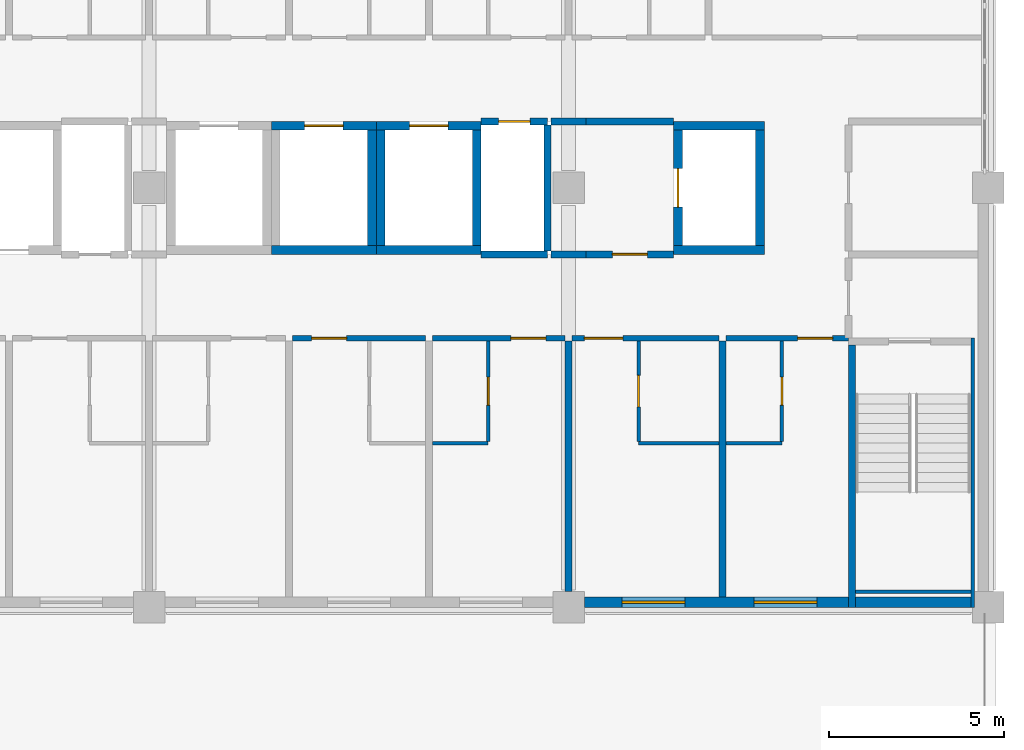
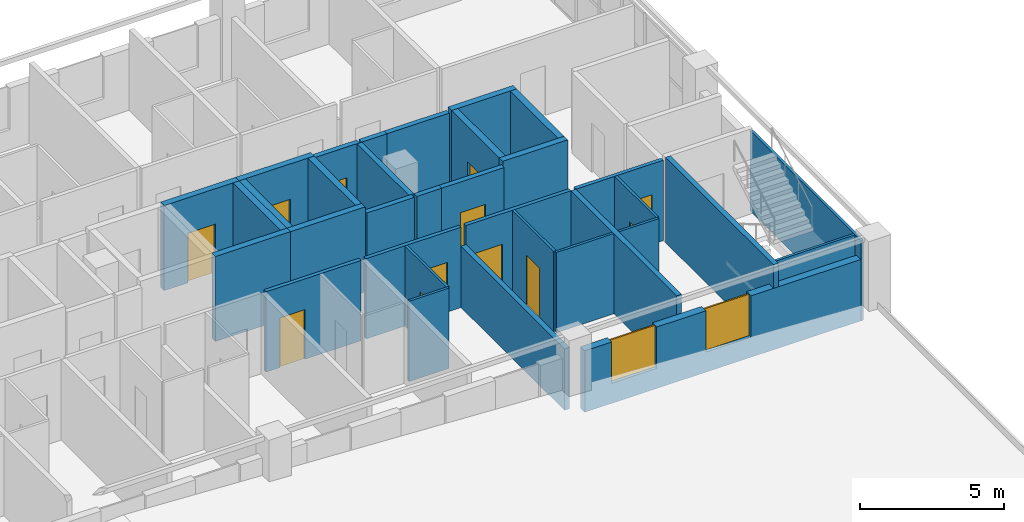
# One storey, part 90 of 94: 34 walls, 12 doors, 2 windows, 14 openings.
"""IFC4 building model written with IfcOpenShell, lengths in metres."""

from ifc_helpers import new_model, si_unit, direction, frame, frame_2d, origin, place, context, subcontext, project, spatial, rectangle, extrude, material, layer, layer_set, type_object, element, fill, save


model = new_model("IFC4")

# Units and contexts
model_context = context("Model", 3, precision=1e-05, world=origin(), true_north=direction((0.0, 1.0)))
body_context = subcontext(model_context, "Body", "Model", "MODEL_VIEW")
ifc_project = project(units=[si_unit("LENGTHUNIT", "METRE"), si_unit("AREAUNIT", "SQUARE_METRE"), si_unit("VOLUMEUNIT", "CUBIC_METRE"), si_unit("PLANEANGLEUNIT", "RADIAN"), si_unit("MASSUNIT", "GRAM", prefix="KILO")], contexts=[model_context])

# Site, building, storey
site_placement = place(None, origin())
site = spatial("IfcSite", under=ifc_project, at=site_placement, CompositionType="ELEMENT")
building_placement = place(site_placement, origin())
building = spatial("IfcBuilding", under=site, at=building_placement, Name="Lilac Gate Convention Centre", CompositionType="ELEMENT")
storey_placement = place(building_placement, frame((0.0, 0.0, 21.0)))
storey = spatial("IfcBuildingStorey", under=building, at=storey_placement, Name="L04", CompositionType="ELEMENT", Elevation=21.0)

# Walls
ifc_material_1 = material(Name="Concrete C60", Category="concrete")
ifc_layer_1 = layer(ifc_material_1, 0.10009765625)
ifc_layer_set_1 = layer_set([ifc_layer_1], Name="Concrete C60")
wall_type_1 = type_object("IfcWallType", Name="Core wall 100 C60", PredefinedType="SHEAR", material=ifc_layer_set_1)
wall_1_placement = place(storey_placement, frame((89.550048828125, 229.699951171875, 0.0), z_axis=(0.0, 0.0, 1.0), x_axis=(0.0, -1.0, 0.0)))
element("IfcWall", 1, at=wall_1_placement, inside=storey, type_object=wall_type_1, Name="CRW8 core wall TS-EX L04 1", PredefinedType="SHEAR", context=body_context, shape_type="SweptSolid", body=[
    extrude(rectangle(XDim=7.699951171875, YDim=0.10009765625, at=frame_2d((3.85009765625, 0.0))), origin(), (0.0, 0.0, 1.0), 3.39990234375),
])
wall_2_placement = place(storey_placement, frame((89.5, 222.449951171875, 0.0), z_axis=(0.0, 0.0, 1.0), x_axis=(-1.0, 0.0, 0.0)))
element("IfcWall", 2, at=wall_2_placement, inside=storey, type_object=wall_type_1, Name="CRW8 core wall TS-EX L04 2", PredefinedType="SHEAR", context=body_context, shape_type="SweptSolid", body=[
    extrude(rectangle(XDim=3.300048828125, YDim=0.10009765625, at=frame_2d((1.64990234375, 0.0))), origin(), (0.0, 0.0, 1.0), 3.39990234375),
])
ifc_layer_2 = layer(ifc_material_1, 0.199951171875)
ifc_layer_set_2 = layer_set([ifc_layer_2], Name="Concrete C60")
wall_type_2 = type_object("IfcWallType", Name="Core wall 200 C60", PredefinedType="SHEAR", material=ifc_layer_set_2)
wall_3_placement = place(storey_placement, frame((86.10009765625, 222.0, 0.0), z_axis=(0.0, 0.0, 1.0), x_axis=(0.0, 1.0, 0.0)))
element("IfcWall", 3, at=wall_3_placement, inside=storey, type_object=wall_type_2, Name="CRW2 core wall TS-E L04 2", PredefinedType="SHEAR", context=body_context, shape_type="SweptSolid", body=[
    extrude(rectangle(XDim=7.5, YDim=0.199951171875, at=frame_2d((3.75, 0.0))), origin(), (0.0, 0.0, 1.0), 3.60009765625),
])
ifc_layer_3 = layer(ifc_material_1, 0.25)
ifc_layer_set_3 = layer_set([ifc_layer_3], Name="Concrete C60")
wall_type_3 = type_object("IfcWallType", Name="Core wall 250 C60", PredefinedType="SHEAR", material=ifc_layer_set_3)
wall_4_placement = place(storey_placement, frame((69.5, 232.22509765625, 0.0), z_axis=(0.0, 0.0, 1.0), x_axis=(1.0, 0.0, 0.0)))
element("IfcWall", 4, at=wall_4_placement, inside=storey, type_object=wall_type_3, Name="CRW3 core wall TC L04 17", PredefinedType="SHEAR", context=body_context, shape_type="SweptSolid", body=[
    extrude(rectangle(XDim=3.0, YDim=0.25, at=frame_2d((1.5, 0.0))), origin(), (0.0, 0.0, 1.0), 3.60009765625),
])

# Wall, opening, door
wall_5_placement = place(storey_placement, frame((69.5, 235.77490234375, 0.0), z_axis=(0.0, 0.0, 1.0), x_axis=(1.0, 0.0, 0.0)))
wall_5 = element("IfcWall", 5, at=wall_5_placement, inside=storey, type_object=wall_type_3, Name="CRW3 core wall TC L04 18", PredefinedType="SHEAR", context=body_context, shape_type="SweptSolid", body=[
    extrude(rectangle(XDim=3.0, YDim=0.25, at=frame_2d((1.5, 0.0))), origin(), (0.0, 0.0, 1.0), 3.60009765625),
])
opening_1_placement = place(wall_5_placement, frame((0.949951171875, 0.0, 0.0)))
opening_1 = element("IfcOpeningElement", 6, at=opening_1_placement, cuts=wall_5, Name="Opening T04-050", PredefinedType="OPENING", context=body_context, shape_type="SweptSolid", body=[
    extrude(rectangle(XDim=1.10009765625, YDim=2.10009765625, at=frame_2d((0.550048828125, 1.050048828125))), frame((0.0, 0.135009765625, 0.0), z_axis=(0.0, -1.0, 0.0), x_axis=(1.0, 0.0, 0.0)), (0.0, 0.0, 1.0), 0.27001953125),
])
ifc_material_2 = material(Name="Stainless steel 304", Category="steel")
door_type_1 = type_object("IfcDoorType", Name="Lift landing door 1100", OperationType="SLIDING_TO_LEFT", PredefinedType="DOOR", material=ifc_material_2)
door_1_placement = place(opening_1_placement, origin())
door_1 = element("IfcDoor", 7, at=door_1_placement, inside=storey, type_object=door_type_1, Name="Lift landing door TP5 L04", OperationType="SLIDING_TO_LEFT", OverallHeight=2.10009765625, OverallWidth=1.10009765625, PredefinedType="DOOR", context=body_context, shape_type="SweptSolid", body=[
    extrude(rectangle(XDim=1.10009765625, YDim=2.10009765625, at=frame_2d((0.550048828125, 1.050048828125))), frame((0.0, 0.02490234375, 0.0), z_axis=(0.0, -1.0, 0.0), x_axis=(1.0, 0.0, 0.0)), (0.0, 0.0, 1.0), 0.050048828125),
])
fill(opening_1, door_1)

# Walls
wall_6_placement = place(storey_placement, frame((72.375, 232.35009765625, 0.0), z_axis=(0.0, 0.0, 1.0), x_axis=(0.0, 1.0, 0.0)))
element("IfcWall", 8, at=wall_6_placement, inside=storey, type_object=wall_type_3, Name="CRW3 core wall TC L04 20", PredefinedType="SHEAR", context=body_context, shape_type="SweptSolid", body=[
    extrude(rectangle(XDim=3.2998046875, YDim=0.25, at=frame_2d((1.64990234375, 0.0))), origin(), (0.0, 0.0, 1.0), 3.60009765625),
])
wall_7_placement = place(storey_placement, frame((72.5, 232.22509765625, 0.0), z_axis=(0.0, 0.0, 1.0), x_axis=(1.0, 0.0, 0.0)))
element("IfcWall", 9, at=wall_7_placement, inside=storey, type_object=wall_type_3, Name="CRW3 core wall TC L04 21", PredefinedType="SHEAR", context=body_context, shape_type="SweptSolid", body=[
    extrude(rectangle(XDim=3.0, YDim=0.25, at=frame_2d((1.5, 0.0))), origin(), (0.0, 0.0, 1.0), 3.60009765625),
])

# Wall, opening, door
wall_8_placement = place(storey_placement, frame((72.5, 235.77490234375, 0.0), z_axis=(0.0, 0.0, 1.0), x_axis=(1.0, 0.0, 0.0)))
wall_8 = element("IfcWall", 10, at=wall_8_placement, inside=storey, type_object=wall_type_3, Name="CRW3 core wall TC L04 22", PredefinedType="SHEAR", context=body_context, shape_type="SweptSolid", body=[
    extrude(rectangle(XDim=3.0, YDim=0.25, at=frame_2d((1.5, 0.0))), origin(), (0.0, 0.0, 1.0), 3.60009765625),
])
opening_2_placement = place(wall_8_placement, frame((0.949951171875, 0.0, 0.0)))
opening_2 = element("IfcOpeningElement", 11, at=opening_2_placement, cuts=wall_8, Name="Opening T04-051", PredefinedType="OPENING", context=body_context, shape_type="SweptSolid", body=[
    extrude(rectangle(XDim=1.10009765625, YDim=2.10009765625, at=frame_2d((0.550048828125, 1.050048828125))), frame((0.0, 0.135009765625, 0.0), z_axis=(0.0, -1.0, 0.0), x_axis=(1.0, 0.0, 0.0)), (0.0, 0.0, 1.0), 0.27001953125),
])
door_2_placement = place(opening_2_placement, origin())
door_2 = element("IfcDoor", 12, at=door_2_placement, inside=storey, type_object=door_type_1, Name="Lift landing door TP6 L04", OperationType="SLIDING_TO_LEFT", OverallHeight=2.10009765625, OverallWidth=1.10009765625, PredefinedType="DOOR", context=body_context, shape_type="SweptSolid", body=[
    extrude(rectangle(XDim=1.10009765625, YDim=2.10009765625, at=frame_2d((0.550048828125, 1.050048828125))), frame((0.0, 0.02490234375, 0.0), z_axis=(0.0, -1.0, 0.0), x_axis=(1.0, 0.0, 0.0)), (0.0, 0.0, 1.0), 0.050048828125),
])
fill(opening_2, door_2)

# Walls
for number, where, z_axis, x_axis, name in (
    (13, (72.625, 232.35009765625, 0.0), (0.0, 0.0, 1.0), (0.0, 1.0, 0.0), "CRW3 core wall TC L04 23"),
    (14, (75.375, 232.35009765625, 0.0), (0.0, 0.0, 1.0), (0.0, 1.0, 0.0), "CRW3 core wall TC L04 24"),
):
    element("IfcWall", number, at=place(storey_placement, frame(where, z_axis=z_axis, x_axis=x_axis)), inside=storey, type_object=wall_type_3, Name=name, PredefinedType="SHEAR", context=body_context, shape_type="SweptSolid", body=[
        extrude(rectangle(XDim=3.2998046875, YDim=0.25, at=frame_2d((1.64990234375, 0.0))), origin(), (0.0, 0.0, 1.0), 3.60009765625),
    ])
for number, where, z_axis, x_axis, name in (
    (15, (81.0, 232.22509765625, 0.0), (0.0, 0.0, 1.0), (1.0, 0.0, 0.0), "CRW3 core wall TC L04 33"),
    (16, (81.0, 235.77490234375, 0.0), (0.0, 0.0, 1.0), (1.0, 0.0, 0.0), "CRW3 core wall TC L04 34"),
):
    element("IfcWall", number, at=place(storey_placement, frame(where, z_axis=z_axis, x_axis=x_axis)), inside=storey, type_object=wall_type_3, Name=name, PredefinedType="SHEAR", context=body_context, shape_type="SweptSolid", body=[
        extrude(rectangle(XDim=2.60009765625, YDim=0.25, at=frame_2d((1.300048828125, 0.0))), origin(), (0.0, 0.0, 1.0), 3.60009765625),
    ])

# Wall, opening, door
wall_9_placement = place(storey_placement, frame((81.125, 232.35009765625, 0.0), z_axis=(0.0, 0.0, 1.0), x_axis=(0.0, 1.0, 0.0)))
wall_9 = element("IfcWall", 17, at=wall_9_placement, inside=storey, type_object=wall_type_3, Name="CRW3 core wall TC L04 35", PredefinedType="SHEAR", context=body_context, shape_type="SweptSolid", body=[
    extrude(rectangle(XDim=3.2998046875, YDim=0.25, at=frame_2d((1.64990234375, 0.0))), origin(), (0.0, 0.0, 1.0), 3.60009765625),
])
opening_3_placement = place(wall_9_placement, frame((1.10009765625, 0.0, 0.0)))
opening_3 = element("IfcOpeningElement", 18, at=opening_3_placement, cuts=wall_9, Name="Opening T04-054", PredefinedType="OPENING", context=body_context, shape_type="SweptSolid", body=[
    extrude(rectangle(XDim=1.10009765625, YDim=2.10009765625, at=frame_2d((0.550048828125, 1.050048828125))), frame((0.0, 0.135009765625, 0.0), z_axis=(0.0, -1.0, 0.0), x_axis=(1.0, 0.0, 0.0)), (0.0, 0.0, 1.0), 0.27001953125),
])
door_3_placement = place(opening_3_placement, origin())
door_3 = element("IfcDoor", 19, at=door_3_placement, inside=storey, type_object=door_type_1, Name="Lift landing door TF1 L04", OperationType="SLIDING_TO_LEFT", OverallHeight=2.10009765625, OverallWidth=1.10009765625, PredefinedType="DOOR", context=body_context, shape_type="SweptSolid", body=[
    extrude(rectangle(XDim=1.10009765625, YDim=2.10009765625, at=frame_2d((0.550048828125, 1.050048828125))), frame((0.0, 0.02490234375, 0.0), z_axis=(0.0, -1.0, 0.0), x_axis=(1.0, 0.0, 0.0)), (0.0, 0.0, 1.0), 0.050048828125),
])
fill(opening_3, door_3)

# Wall
wall_10_placement = place(storey_placement, frame((83.47509765625, 232.35009765625, 0.0), z_axis=(0.0, 0.0, 1.0), x_axis=(0.0, 1.0, 0.0)))
element("IfcWall", 20, at=wall_10_placement, inside=storey, type_object=wall_type_3, Name="CRW3 core wall TC L04 36", PredefinedType="SHEAR", context=body_context, shape_type="SweptSolid", body=[
    extrude(rectangle(XDim=3.2998046875, YDim=0.25, at=frame_2d((1.64990234375, 0.0))), origin(), (0.0, 0.0, 1.0), 3.60009765625),
])

# Wall, opening, door
ifc_material_3 = material(Name="Gypsum board on steel stud", Category="steel")
ifc_layer_4 = layer(ifc_material_3, 0.14990234375)
ifc_layer_set_4 = layer_set([ifc_layer_4], Name="Gypsum board on steel stud")
wall_type_4 = type_object("IfcWallType", Name="Corridor wall 150", PredefinedType="PARTITIONING", material=ifc_layer_set_4)
wall_11_placement = place(storey_placement, frame((73.89990234375, 229.699951171875, 0.0), z_axis=(0.0, 0.0, 1.0), x_axis=(-1.0, 0.0, 0.0)))
wall_11 = element("IfcWall", 21, at=wall_11_placement, inside=storey, type_object=wall_type_4, Name="Corridor wall 150 front 0407", PredefinedType="PARTITIONING", context=body_context, shape_type="SweptSolid", body=[
    extrude(rectangle(XDim=3.7998046875, YDim=0.14990234375, at=frame_2d((1.89990234375, 0.0))), origin(), (0.0, 0.0, 1.0), 3.39990234375),
])
opening_4_placement = place(wall_11_placement, frame((2.25, 0.0, 0.0)))
opening_4 = element("IfcOpeningElement", 22, at=opening_4_placement, cuts=wall_11, Name="Opening T04-019", PredefinedType="OPENING", context=body_context, shape_type="SweptSolid", body=[
    extrude(rectangle(XDim=1.0, YDim=2.10009765625, at=frame_2d((0.5, 1.050048828125))), frame((0.0, 0.0849609375, 0.0), z_axis=(0.0, -1.0, 0.0), x_axis=(1.0, 0.0, 0.0)), (0.0, 0.0, 1.0), 0.169921875),
])
ifc_material_4 = material(Name="Timber", Category="wood")
door_type_2 = type_object("IfcDoorType", Name="Guest room entrance door 1000", OperationType="SINGLE_SWING_LEFT", PredefinedType="DOOR", material=ifc_material_4)
door_4_placement = place(opening_4_placement, origin())
door_4 = element("IfcDoor", 23, at=door_4_placement, inside=storey, type_object=door_type_2, Name="Guest room door 0407", OperationType="SINGLE_SWING_LEFT", OverallHeight=2.10009765625, OverallWidth=1.0, PredefinedType="DOOR", context=body_context, shape_type="SweptSolid", body=[
    extrude(rectangle(XDim=1.0, YDim=2.10009765625, at=frame_2d((0.5, 1.050048828125))), frame((0.0, 0.02490234375, 0.0), z_axis=(0.0, -1.0, 0.0), x_axis=(1.0, 0.0, 0.0)), (0.0, 0.0, 1.0), 0.050048828125),
])
fill(opening_4, door_4)

wall_12_placement = place(storey_placement, frame((77.89990234375, 229.699951171875, 0.0), z_axis=(0.0, 0.0, 1.0), x_axis=(-1.0, 0.0, 0.0)))
wall_12 = element("IfcWall", 24, at=wall_12_placement, inside=storey, type_object=wall_type_4, Name="Corridor wall 150 front 0408", PredefinedType="PARTITIONING", context=body_context, shape_type="SweptSolid", body=[
    extrude(rectangle(XDim=3.7998046875, YDim=0.14990234375, at=frame_2d((1.89990234375, 0.0))), origin(), (0.0, 0.0, 1.0), 3.39990234375),
])
opening_5_placement = place(wall_12_placement, frame((0.550048828125, 0.0, 0.0)))
opening_5 = element("IfcOpeningElement", 25, at=opening_5_placement, cuts=wall_12, Name="Opening T04-021", PredefinedType="OPENING", context=body_context, shape_type="SweptSolid", body=[
    extrude(rectangle(XDim=1.0, YDim=2.10009765625, at=frame_2d((0.5, 1.050048828125))), frame((0.0, 0.0849609375, 0.0), z_axis=(0.0, -1.0, 0.0), x_axis=(1.0, 0.0, 0.0)), (0.0, 0.0, 1.0), 0.169921875),
])
door_5_placement = place(opening_5_placement, origin())
door_5 = element("IfcDoor", 26, at=door_5_placement, inside=storey, type_object=door_type_2, Name="Guest room door 0408", OperationType="SINGLE_SWING_LEFT", OverallHeight=2.10009765625, OverallWidth=1.0, PredefinedType="DOOR", context=body_context, shape_type="SweptSolid", body=[
    extrude(rectangle(XDim=1.0, YDim=2.10009765625, at=frame_2d((0.5, 1.050048828125))), frame((0.0, 0.02490234375, 0.0), z_axis=(0.0, -1.0, 0.0), x_axis=(1.0, 0.0, 0.0)), (0.0, 0.0, 1.0), 0.050048828125),
])
fill(opening_5, door_5)

wall_13_placement = place(storey_placement, frame((82.300048828125, 229.699951171875, 0.0), z_axis=(0.0, 0.0, 1.0), x_axis=(-1.0, 0.0, 0.0)))
wall_13 = element("IfcWall", 27, at=wall_13_placement, inside=storey, type_object=wall_type_4, Name="Corridor wall 150 front 0409", PredefinedType="PARTITIONING", context=body_context, shape_type="SweptSolid", body=[
    extrude(rectangle(XDim=4.199951171875, YDim=0.14990234375, at=frame_2d((2.10009765625, 0.0))), origin(), (0.0, 0.0, 1.0), 3.39990234375),
])
opening_6_placement = place(wall_13_placement, frame((2.75, 0.0, 0.0)))
opening_6 = element("IfcOpeningElement", 28, at=opening_6_placement, cuts=wall_13, Name="Opening T04-023", PredefinedType="OPENING", context=body_context, shape_type="SweptSolid", body=[
    extrude(rectangle(XDim=1.10009765625, YDim=2.10009765625, at=frame_2d((0.550048828125, 1.050048828125))), frame((0.0, 0.0849609375, 0.0), z_axis=(0.0, -1.0, 0.0), x_axis=(1.0, 0.0, 0.0)), (0.0, 0.0, 1.0), 0.169921875),
])
door_type_3 = type_object("IfcDoorType", Name="Accessible entrance door 1100", OperationType="SINGLE_SWING_LEFT", PredefinedType="DOOR", material=ifc_material_4)
door_6_placement = place(opening_6_placement, origin())
door_6 = element("IfcDoor", 29, at=door_6_placement, inside=storey, type_object=door_type_3, Name="Guest room door 0409", OperationType="SINGLE_SWING_RIGHT", OverallHeight=2.10009765625, OverallWidth=1.10009765625, PredefinedType="DOOR", context=body_context, shape_type="SweptSolid", body=[
    extrude(rectangle(XDim=1.10009765625, YDim=2.10009765625, at=frame_2d((0.550048828125, 1.050048828125))), frame((0.0, 0.02490234375, 0.0), z_axis=(0.0, -1.0, 0.0), x_axis=(1.0, 0.0, 0.0)), (0.0, 0.0, 1.0), 0.050048828125),
])
fill(opening_6, door_6)

wall_14_placement = place(storey_placement, frame((86.0, 229.699951171875, 0.0), z_axis=(0.0, 0.0, 1.0), x_axis=(-1.0, 0.0, 0.0)))
wall_14 = element("IfcWall", 30, at=wall_14_placement, inside=storey, type_object=wall_type_4, Name="Corridor wall 150 front 0410", PredefinedType="PARTITIONING", context=body_context, shape_type="SweptSolid", body=[
    extrude(rectangle(XDim=3.5, YDim=0.14990234375, at=frame_2d((1.75, 0.0))), origin(), (0.0, 0.0, 1.0), 3.39990234375),
])
opening_7_placement = place(wall_14_placement, frame((0.449951171875, 0.0, 0.0)))
opening_7 = element("IfcOpeningElement", 31, at=opening_7_placement, cuts=wall_14, Name="Opening T04-025", PredefinedType="OPENING", context=body_context, shape_type="SweptSolid", body=[
    extrude(rectangle(XDim=1.0, YDim=2.10009765625, at=frame_2d((0.5, 1.050048828125))), frame((0.0, 0.0849609375, 0.0), z_axis=(0.0, -1.0, 0.0), x_axis=(1.0, 0.0, 0.0)), (0.0, 0.0, 1.0), 0.169921875),
])
door_7_placement = place(opening_7_placement, origin())
door_7 = element("IfcDoor", 32, at=door_7_placement, inside=storey, type_object=door_type_2, Name="Guest room door 0410", OperationType="SINGLE_SWING_LEFT", OverallHeight=2.10009765625, OverallWidth=1.0, PredefinedType="DOOR", context=body_context, shape_type="SweptSolid", body=[
    extrude(rectangle(XDim=1.0, YDim=2.10009765625, at=frame_2d((0.5, 1.050048828125))), frame((0.0, 0.02490234375, 0.0), z_axis=(0.0, -1.0, 0.0), x_axis=(1.0, 0.0, 0.0)), (0.0, 0.0, 1.0), 0.050048828125),
])
fill(opening_7, door_7)

# Wall
ifc_layer_5 = layer(ifc_material_3, 0.10009765625)
ifc_layer_set_5 = layer_set([ifc_layer_5], Name="Gypsum board on steel stud")
wall_type_5 = type_object("IfcWallType", Name="En-suite wall 100", PredefinedType="PARTITIONING", material=ifc_layer_set_5)
wall_15_placement = place(storey_placement, frame((74.10009765625, 226.699951171875, 0.0), z_axis=(0.0, 0.0, 1.0), x_axis=(1.0, 0.0, 0.0)))
element("IfcWall", 33, at=wall_15_placement, inside=storey, type_object=wall_type_5, Name="En-suite wall 100 bath 0408", PredefinedType="PARTITIONING", context=body_context, shape_type="SweptSolid", body=[
    extrude(rectangle(XDim=1.599853515625, YDim=0.10009765625, at=frame_2d((0.7998046875, 0.0))), origin(), (0.0, 0.0, 1.0), 3.39990234375),
])

# Wall, opening, door
wall_16_placement = place(storey_placement, frame((75.699951171875, 229.625, 0.0), z_axis=(0.0, 0.0, 1.0), x_axis=(0.0, -1.0, 0.0)))
wall_16 = element("IfcWall", 34, at=wall_16_placement, inside=storey, type_object=wall_type_5, Name="En-suite wall 100 bath side 0408", PredefinedType="PARTITIONING", context=body_context, shape_type="SweptSolid", body=[
    extrude(rectangle(XDim=2.875, YDim=0.10009765625, at=frame_2d((1.4375, 0.0))), origin(), (0.0, 0.0, 1.0), 3.39990234375),
])
opening_8_placement = place(wall_16_placement, frame((1.03759765625, 0.0, 0.0)))
opening_8 = element("IfcOpeningElement", 35, at=opening_8_placement, cuts=wall_16, Name="Opening T04-022", PredefinedType="OPENING", context=body_context, shape_type="SweptSolid", body=[
    extrude(rectangle(XDim=0.800048828125, YDim=2.10009765625, at=frame_2d((0.39990234375, 1.050048828125))), frame((0.0, 0.06005859375, 0.0), z_axis=(0.0, -1.0, 0.0), x_axis=(1.0, 0.0, 0.0)), (0.0, 0.0, 1.0), 0.1201171875),
])
door_type_4 = type_object("IfcDoorType", Name="En-suite door 800", OperationType="SINGLE_SWING_LEFT", PredefinedType="DOOR", material=ifc_material_4)
door_8_placement = place(opening_8_placement, origin())
door_8 = element("IfcDoor", 36, at=door_8_placement, inside=storey, type_object=door_type_4, Name="En-suite door 0408", OperationType="SINGLE_SWING_LEFT", OverallHeight=2.10009765625, OverallWidth=0.800048828125, PredefinedType="DOOR", context=body_context, shape_type="SweptSolid", body=[
    extrude(rectangle(XDim=0.800048828125, YDim=2.10009765625, at=frame_2d((0.39990234375, 1.050048828125))), frame((0.0, 0.02490234375, 0.0), z_axis=(0.0, -1.0, 0.0), x_axis=(1.0, 0.0, 0.0)), (0.0, 0.0, 1.0), 0.050048828125),
])
fill(opening_8, door_8)

# Wall
wall_17_placement = place(storey_placement, frame((80.0, 226.699951171875, 0.0), z_axis=(0.0, 0.0, 1.0), x_axis=(1.0, 0.0, 0.0)))
element("IfcWall", 37, at=wall_17_placement, inside=storey, type_object=wall_type_5, Name="En-suite wall 100 bath 0409", PredefinedType="PARTITIONING", context=body_context, shape_type="SweptSolid", body=[
    extrude(rectangle(XDim=2.300048828125, YDim=0.10009765625, at=frame_2d((1.14990234375, 0.0))), origin(), (0.0, 0.0, 1.0), 3.39990234375),
])

# Wall, opening, door
wall_18_placement = place(storey_placement, frame((80.0, 226.75, 0.0), z_axis=(0.0, 0.0, 1.0), x_axis=(0.0, 1.0, 0.0)))
wall_18 = element("IfcWall", 38, at=wall_18_placement, inside=storey, type_object=wall_type_5, Name="En-suite wall 100 bath side 0409", PredefinedType="PARTITIONING", context=body_context, shape_type="SweptSolid", body=[
    extrude(rectangle(XDim=2.875, YDim=0.10009765625, at=frame_2d((1.4375, 0.0))), origin(), (0.0, 0.0, 1.0), 3.39990234375),
])
opening_9_placement = place(wall_18_placement, frame((0.987548828125, 0.0, 0.0)))
opening_9 = element("IfcOpeningElement", 39, at=opening_9_placement, cuts=wall_18, Name="Opening T04-024", PredefinedType="OPENING", context=body_context, shape_type="SweptSolid", body=[
    extrude(rectangle(XDim=0.89990234375, YDim=2.10009765625, at=frame_2d((0.449951171875, 1.050048828125))), frame((0.0, 0.06005859375, 0.0), z_axis=(0.0, -1.0, 0.0), x_axis=(1.0, 0.0, 0.0)), (0.0, 0.0, 1.0), 0.1201171875),
])
door_type_5 = type_object("IfcDoorType", Name="Accessible en-suite door 900", OperationType="SINGLE_SWING_LEFT", PredefinedType="DOOR", material=ifc_material_4)
door_9_placement = place(opening_9_placement, origin())
door_9 = element("IfcDoor", 40, at=door_9_placement, inside=storey, type_object=door_type_5, Name="En-suite door 0409", OperationType="SINGLE_SWING_RIGHT", OverallHeight=2.10009765625, OverallWidth=0.89990234375, PredefinedType="DOOR", context=body_context, shape_type="SweptSolid", body=[
    extrude(rectangle(XDim=0.89990234375, YDim=2.10009765625, at=frame_2d((0.449951171875, 1.050048828125))), frame((0.0, 0.02490234375, 0.0), z_axis=(0.0, -1.0, 0.0), x_axis=(1.0, 0.0, 0.0)), (0.0, 0.0, 1.0), 0.050048828125),
])
fill(opening_9, door_9)

# Wall
wall_19_placement = place(storey_placement, frame((82.5, 226.699951171875, 0.0), z_axis=(0.0, 0.0, 1.0), x_axis=(1.0, 0.0, 0.0)))
element("IfcWall", 41, at=wall_19_placement, inside=storey, type_object=wall_type_5, Name="En-suite wall 100 bath 0410", PredefinedType="PARTITIONING", context=body_context, shape_type="SweptSolid", body=[
    extrude(rectangle(XDim=1.60009765625, YDim=0.10009765625, at=frame_2d((0.800048828125, 0.0))), origin(), (0.0, 0.0, 1.0), 3.39990234375),
])

# Wall, opening, door
wall_20_placement = place(storey_placement, frame((84.10009765625, 229.625, 0.0), z_axis=(0.0, 0.0, 1.0), x_axis=(0.0, -1.0, 0.0)))
wall_20 = element("IfcWall", 42, at=wall_20_placement, inside=storey, type_object=wall_type_5, Name="En-suite wall 100 bath side 0410", PredefinedType="PARTITIONING", context=body_context, shape_type="SweptSolid", body=[
    extrude(rectangle(XDim=2.875, YDim=0.10009765625, at=frame_2d((1.4375, 0.0))), origin(), (0.0, 0.0, 1.0), 3.39990234375),
])
opening_10_placement = place(wall_20_placement, frame((1.03759765625, 0.0, 0.0)))
opening_10 = element("IfcOpeningElement", 43, at=opening_10_placement, cuts=wall_20, Name="Opening T04-026", PredefinedType="OPENING", context=body_context, shape_type="SweptSolid", body=[
    extrude(rectangle(XDim=0.800048828125, YDim=2.10009765625, at=frame_2d((0.39990234375, 1.050048828125))), frame((0.0, 0.06005859375, 0.0), z_axis=(0.0, -1.0, 0.0), x_axis=(1.0, 0.0, 0.0)), (0.0, 0.0, 1.0), 0.1201171875),
])
door_10_placement = place(opening_10_placement, origin())
door_10 = element("IfcDoor", 44, at=door_10_placement, inside=storey, type_object=door_type_4, Name="En-suite door 0410", OperationType="SINGLE_SWING_LEFT", OverallHeight=2.10009765625, OverallWidth=0.800048828125, PredefinedType="DOOR", context=body_context, shape_type="SweptSolid", body=[
    extrude(rectangle(XDim=0.800048828125, YDim=2.10009765625, at=frame_2d((0.39990234375, 1.050048828125))), frame((0.0, 0.02490234375, 0.0), z_axis=(0.0, -1.0, 0.0), x_axis=(1.0, 0.0, 0.0)), (0.0, 0.0, 1.0), 0.050048828125),
])
fill(opening_10, door_10)

# Walls
ifc_layer_6 = layer(ifc_material_3, 0.199951171875)
ifc_layer_set_6 = layer_set([ifc_layer_6], Name="Gypsum board on steel stud")
wall_type_6 = type_object("IfcWallType", Name="Guest room party wall 200", PredefinedType="PARTITIONING", material=ifc_layer_set_6)
wall_21_placement = place(storey_placement, frame((78.0, 222.449951171875, 0.0), z_axis=(0.0, 0.0, 1.0), x_axis=(0.0, 1.0, 0.0)))
element("IfcWall", 45, at=wall_21_placement, inside=storey, type_object=wall_type_6, Name="Guest room party wall 200 party 78.0", PredefinedType="PARTITIONING", context=body_context, shape_type="SweptSolid", body=[
    extrude(rectangle(XDim=7.175048828125, YDim=0.199951171875, at=frame_2d((3.58740234375, 0.0))), origin(), (0.0, 0.0, 1.0), 2.60009765625),
])
wall_22_placement = place(storey_placement, frame((82.39990234375, 222.2998046875, 0.0), z_axis=(0.0, 0.0, 1.0), x_axis=(0.0, 1.0, 0.0)))
element("IfcWall", 46, at=wall_22_placement, inside=storey, type_object=wall_type_6, Name="Guest room party wall 200 party 82.4", PredefinedType="PARTITIONING", context=body_context, shape_type="SweptSolid", body=[
    extrude(rectangle(XDim=7.3251953125, YDim=0.199951171875, at=frame_2d((3.66259765625, 0.0))), origin(), (0.0, 0.0, 1.0), 3.39990234375),
])

# Wall, opening, door
ifc_layer_7 = layer(ifc_material_3, 0.199951171875)
ifc_layer_set_7 = layer_set([ifc_layer_7], Name="Gypsum board on steel stud")
wall_type_7 = type_object("IfcWallType", Name="Lobby wall 200", PredefinedType="PARTITIONING", material=ifc_layer_set_7)
wall_23_placement = place(storey_placement, frame((78.5, 232.10009765625, 0.0), z_axis=(0.0, 0.0, 1.0), x_axis=(1.0, 0.0, 0.0)))
wall_23 = element("IfcWall", 47, at=wall_23_placement, inside=storey, type_object=wall_type_7, Name="Lobby wall 200 FFL-S", PredefinedType="PARTITIONING", context=body_context, shape_type="SweptSolid", body=[
    extrude(rectangle(XDim=2.5, YDim=0.199951171875, at=frame_2d((1.25, 0.0))), origin(), (0.0, 0.0, 1.0), 3.39990234375),
])
opening_11_placement = place(wall_23_placement, frame((0.75, 0.0, 0.0)))
opening_11 = element("IfcOpeningElement", 48, at=opening_11_placement, cuts=wall_23, Name="Opening T04-004", PredefinedType="OPENING", context=body_context, shape_type="SweptSolid", body=[
    extrude(rectangle(XDim=1.0, YDim=2.10009765625, at=frame_2d((0.5, 1.050048828125))), frame((0.0, 0.10986328125, 0.0), z_axis=(0.0, -1.0, 0.0), x_axis=(1.0, 0.0, 0.0)), (0.0, 0.0, 1.0), 0.219970703125),
])
ifc_material_5 = material(Name="Steel Q235B", Category="steel")
door_type_6 = type_object("IfcDoorType", Name="Lobby door 1000", OperationType="SINGLE_SWING_LEFT", PredefinedType="DOOR", material=ifc_material_5)
door_11_placement = place(opening_11_placement, origin())
door_11 = element("IfcDoor", 49, at=door_11_placement, inside=storey, type_object=door_type_6, Name="Firefighting lobby door", OperationType="SINGLE_SWING_RIGHT", OverallHeight=2.10009765625, OverallWidth=1.0, PredefinedType="DOOR", context=body_context, shape_type="SweptSolid", body=[
    extrude(rectangle(XDim=1.0, YDim=2.10009765625, at=frame_2d((0.5, 1.050048828125))), frame((0.0, 0.02490234375, 0.0), z_axis=(0.0, -1.0, 0.0), x_axis=(1.0, 0.0, 0.0)), (0.0, 0.0, 1.0), 0.050048828125),
])
fill(opening_11, door_11)

# Wall
wall_24_placement = place(storey_placement, frame((78.5, 235.89990234375, 0.0), z_axis=(0.0, 0.0, 1.0), x_axis=(1.0, 0.0, 0.0)))
element("IfcWall", 50, at=wall_24_placement, inside=storey, type_object=wall_type_7, Name="Lobby wall 200 FFL-N", PredefinedType="PARTITIONING", context=body_context, shape_type="SweptSolid", body=[
    extrude(rectangle(XDim=2.5, YDim=0.199951171875, at=frame_2d((1.25, 0.0))), origin(), (0.0, 0.0, 1.0), 3.39990234375),
])

# Wall, openings, windows
ifc_material_6 = material(Name="Ochre mineral render")
ifc_layer_8 = layer(ifc_material_6, 0.02001953125)
ifc_material_7 = material(Name="Concrete C40 precast", Category="concrete")
ifc_layer_9 = layer(ifc_material_7, 0.06005859375)
ifc_material_8 = material(Name="Ventilated air cavity")
ifc_layer_10 = layer(ifc_material_8, 0.030029296875)
ifc_material_9 = material(Name="Mineral wool insulation")
ifc_layer_11 = layer(ifc_material_9, 0.1201171875)
ifc_material_10 = material(Name="Steel stud Q345 and gypsum lining", Category="steel")
ifc_layer_12 = layer(ifc_material_10, 0.070068359375)
ifc_layer_set_8 = layer_set([ifc_layer_8, ifc_layer_9, ifc_layer_10, ifc_layer_11, ifc_layer_12], Name="Ochre mineral render, Concrete C40 precast, Ventilated air cavity, Mineral wool insulation, Steel stud Q345 and gypsum lining")
wall_type_8 = type_object("IfcWallType", Name="Precast panel wall ochre 300", PredefinedType="STANDARD", material=ifc_layer_set_8)
wall_25_placement = place(storey_placement, frame((78.449951171875, 222.14990234375, 0.0), z_axis=(0.0, 0.0, 1.0), x_axis=(1.0, 0.0, 0.0)))
wall_25 = element("IfcWall", 51, at=wall_25_placement, inside=storey, type_object=wall_type_8, Name="External wall S L04 4", PredefinedType="STANDARD", context=body_context, shape_type="SweptSolid", body=[
    extrude(rectangle(XDim=11.10009765625, YDim=0.300048828125, at=frame_2d((5.550048828125, 0.0))), origin(), (0.0, 0.0, 1.0), 2.60009765625),
])
opening_12_placement = place(wall_25_placement, frame((1.074951171875, 0.0, 0.85009765625)))
opening_12 = element("IfcOpeningElement", 52, at=opening_12_placement, cuts=wall_25, Name="Opening W1", PredefinedType="OPENING", context=body_context, shape_type="SweptSolid", body=[
    extrude(rectangle(XDim=1.800048828125, YDim=1.75, at=frame_2d((0.89990234375, 0.875))), frame((0.0, 0.159912109375, 0.0), z_axis=(0.0, -1.0, 0.0), x_axis=(1.0, 0.0, 0.0)), (0.0, 0.0, 1.0), 0.320068359375),
])
opening_13_placement = place(wall_25_placement, frame((4.85009765625, 0.0, 0.85009765625)))
opening_13 = element("IfcOpeningElement", 53, at=opening_13_placement, cuts=wall_25, Name="Opening W1", PredefinedType="OPENING", context=body_context, shape_type="SweptSolid", body=[
    extrude(rectangle(XDim=1.800048828125, YDim=1.75, at=frame_2d((0.89990234375, 0.875))), frame((0.0, 0.159912109375, 0.0), z_axis=(0.0, -1.0, 0.0), x_axis=(1.0, 0.0, 0.0)), (0.0, 0.0, 1.0), 0.320068359375),
])
ifc_material_11 = material(Name="Aluminium framed double glazing", Category="aluminium")
window_type = type_object("IfcWindowType", Name="Guest room window 1800 x 1750", PartitioningType="DOUBLE_PANEL_VERTICAL", PredefinedType="WINDOW", material=ifc_material_11)
window_1_placement = place(opening_12_placement, origin())
window_1 = element("IfcWindow", 54, at=window_1_placement, inside=storey, type_object=window_type, Name="Window Guest S L04", OverallHeight=1.75, OverallWidth=1.800048828125, PartitioningType="SINGLE_PANEL", PredefinedType="WINDOW", context=body_context, shape_type="SweptSolid", body=[
    extrude(rectangle(XDim=1.800048828125, YDim=1.75, at=frame_2d((0.89990234375, 0.875))), frame((0.0, 0.030029296875, 0.0), z_axis=(0.0, -1.0, 0.0), x_axis=(1.0, 0.0, 0.0)), (0.0, 0.0, 1.0), 0.06005859375),
])
fill(opening_12, window_1)
window_2_placement = place(opening_13_placement, origin())
window_2 = element("IfcWindow", 55, at=window_2_placement, inside=storey, type_object=window_type, Name="Window Guest S L04", OverallHeight=1.75, OverallWidth=1.800048828125, PartitioningType="SINGLE_PANEL", PredefinedType="WINDOW", context=body_context, shape_type="SweptSolid", body=[
    extrude(rectangle(XDim=1.800048828125, YDim=1.75, at=frame_2d((0.89990234375, 0.875))), frame((0.0, 0.030029296875, 0.0), z_axis=(0.0, -1.0, 0.0), x_axis=(1.0, 0.0, 0.0)), (0.0, 0.0, 1.0), 0.06005859375),
])
fill(opening_13, window_2)

# Walls
ifc_layer_13 = layer(ifc_material_3, 0.199951171875)
ifc_layer_set_9 = layer_set([ifc_layer_13], Name="Gypsum board on steel stud")
wall_type_9 = type_object("IfcWallType", Name="Riser and store wall 200", PredefinedType="PARTITIONING", material=ifc_layer_set_9)
wall_26_placement = place(storey_placement, frame((75.5, 232.10009765625, 0.0), z_axis=(0.0, 0.0, 1.0), x_axis=(1.0, 0.0, 0.0)))
element("IfcWall", 56, at=wall_26_placement, inside=storey, type_object=wall_type_9, Name="Riser and store wall 200 RS2-S", PredefinedType="PARTITIONING", context=body_context, shape_type="SweptSolid", body=[
    extrude(rectangle(XDim=1.89990234375, YDim=0.199951171875, at=frame_2d((0.949951171875, 0.0))), origin(), (0.0, 0.0, 1.0), 3.39990234375),
])
wall_27_placement = place(storey_placement, frame((77.5, 232.10009765625, 0.0), z_axis=(0.0, 0.0, 1.0), x_axis=(1.0, 0.0, 0.0)))
element("IfcWall", 57, at=wall_27_placement, inside=storey, type_object=wall_type_9, Name="Riser and store wall 200 NICHE3-S", PredefinedType="PARTITIONING", context=body_context, shape_type="SweptSolid", body=[
    extrude(rectangle(XDim=1.0, YDim=0.199951171875, at=frame_2d((0.5, 0.0))), origin(), (0.0, 0.0, 1.0), 3.39990234375),
])

# Wall, opening, door
wall_28_placement = place(storey_placement, frame((77.39990234375, 235.89990234375, 0.0), z_axis=(0.0, 0.0, 1.0), x_axis=(-1.0, 0.0, 0.0)))
wall_28 = element("IfcWall", 58, at=wall_28_placement, inside=storey, type_object=wall_type_9, Name="Riser and store wall 200 RS2-N", PredefinedType="PARTITIONING", context=body_context, shape_type="SweptSolid", body=[
    extrude(rectangle(XDim=1.89990234375, YDim=0.199951171875, at=frame_2d((0.949951171875, 0.0))), origin(), (0.0, 0.0, 1.0), 3.39990234375),
])
opening_14_placement = place(wall_28_placement, frame((0.5, 0.0, 0.0)))
opening_14 = element("IfcOpeningElement", 59, at=opening_14_placement, cuts=wall_28, Name="Opening T04-003", PredefinedType="OPENING", context=body_context, shape_type="SweptSolid", body=[
    extrude(rectangle(XDim=0.89990234375, YDim=2.10009765625, at=frame_2d((0.449951171875, 1.050048828125))), frame((0.0, 0.10986328125, 0.0), z_axis=(0.0, -1.0, 0.0), x_axis=(1.0, 0.0, 0.0)), (0.0, 0.0, 1.0), 0.219970703125),
])
door_type_7 = type_object("IfcDoorType", Name="Riser and store door 900", OperationType="SINGLE_SWING_LEFT", PredefinedType="DOOR", material=ifc_material_5)
door_12_placement = place(opening_14_placement, origin())
door_12 = element("IfcDoor", 60, at=door_12_placement, inside=storey, type_object=door_type_7, Name="Riser room door", OperationType="SINGLE_SWING_LEFT", OverallHeight=2.10009765625, OverallWidth=0.89990234375, PredefinedType="DOOR", context=body_context, shape_type="SweptSolid", body=[
    extrude(rectangle(XDim=0.89990234375, YDim=2.10009765625, at=frame_2d((0.449951171875, 1.050048828125))), frame((0.0, 0.02490234375, 0.0), z_axis=(0.0, -1.0, 0.0), x_axis=(1.0, 0.0, 0.0)), (0.0, 0.0, 1.0), 0.050048828125),
])
fill(opening_14, door_12)

# Walls
wall_29_placement = place(storey_placement, frame((77.5, 235.89990234375, 0.0), z_axis=(0.0, 0.0, 1.0), x_axis=(1.0, 0.0, 0.0)))
element("IfcWall", 61, at=wall_29_placement, inside=storey, type_object=wall_type_9, Name="Riser and store wall 200 NICHE3-N", PredefinedType="PARTITIONING", context=body_context, shape_type="SweptSolid", body=[
    extrude(rectangle(XDim=1.0, YDim=0.199951171875, at=frame_2d((0.5, 0.0))), origin(), (0.0, 0.0, 1.0), 3.39990234375),
])
wall_30_placement = place(storey_placement, frame((77.39990234375, 232.199951171875, 0.0), z_axis=(0.0, 0.0, 1.0), x_axis=(0.0, 1.0, 0.0)))
element("IfcWall", 62, at=wall_30_placement, inside=storey, type_object=wall_type_9, Name="Riser and store wall 200 RS2-E", PredefinedType="PARTITIONING", context=body_context, shape_type="SweptSolid", body=[
    extrude(rectangle(XDim=3.60009765625, YDim=0.199951171875, at=frame_2d((1.800048828125, 0.0))), origin(), (0.0, 0.0, 1.0), 3.39990234375),
])

save(model, "model.ifc")
